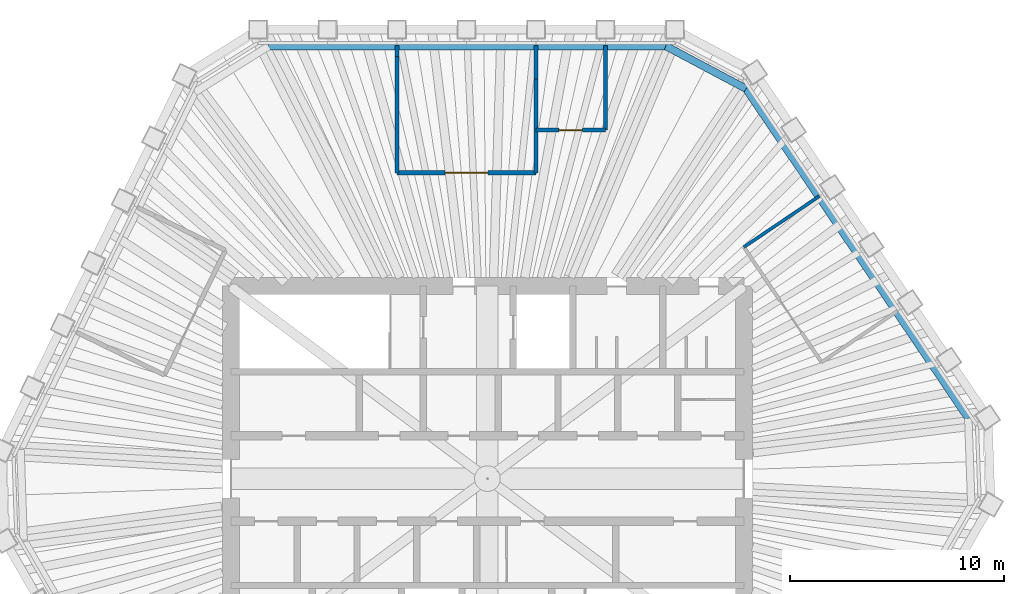
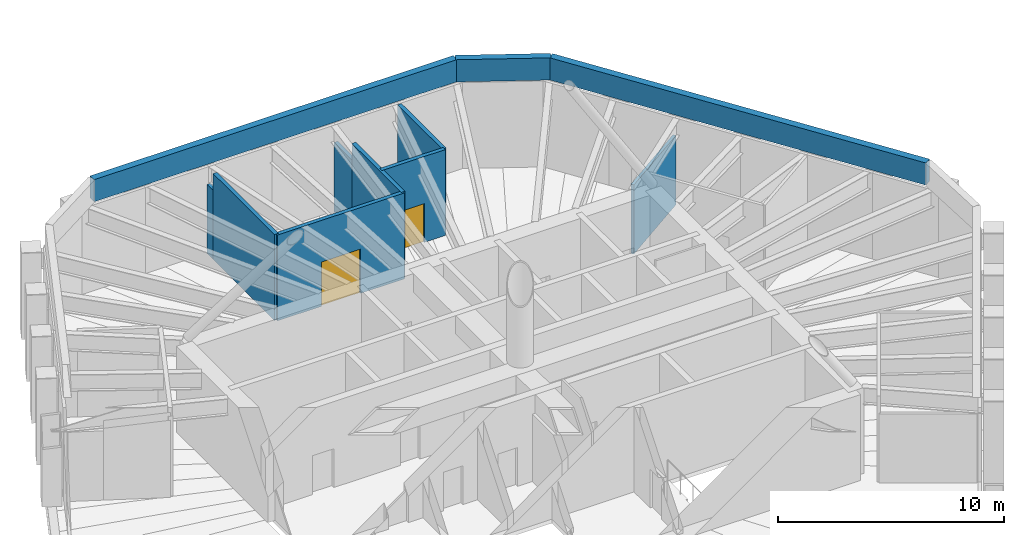
# One storey, part 7 of 9: 11 walls, 2 doors, 2 openings.
"""IFC4 building model written with IfcOpenShell, lengths in metres."""

from ifc_helpers import new_model, si_unit, direction, frame, frame_2d, origin, place, context, subcontext, project, spatial, rectangle, extrude, material, layer, layer_set, type_object, element, fill, save


model = new_model("IFC4")

# Units and contexts
model_context = context("Model", 3, precision=1e-05, world=origin(), true_north=direction((0.0, 1.0)))
body_context = subcontext(model_context, "Body", "Model", "MODEL_VIEW")
ifc_project = project(units=[si_unit("LENGTHUNIT", "METRE"), si_unit("AREAUNIT", "SQUARE_METRE"), si_unit("VOLUMEUNIT", "CUBIC_METRE"), si_unit("PLANEANGLEUNIT", "RADIAN"), si_unit("MASSUNIT", "GRAM", prefix="KILO")], contexts=[model_context])

# Site, building, storey
site_placement = place(None, origin())
site = spatial("IfcSite", under=ifc_project, at=site_placement, CompositionType="ELEMENT")
building_placement = place(site_placement, origin())
building = spatial("IfcBuilding", under=site, at=building_placement, Name="Qingtian Harvest Tower", CompositionType="ELEMENT")
storey_placement = place(building_placement, frame((0.0, 0.0, 343.60009765625)))
storey = spatial("IfcBuildingStorey", under=building, at=storey_placement, Name="L76", CompositionType="ELEMENT", Elevation=343.60009765625)

# Walls
ifc_material_1 = material(Name="Blockwork fire wall", Category="masonry")
ifc_layer_1 = layer(ifc_material_1, 0.199951171875)
ifc_layer_set_1 = layer_set([ifc_layer_1], Name="Fire partition FW1 200")
wall_type_1 = type_object("IfcWallType", Name="Fire partition FW1 200", PredefinedType="PARTITIONING", material=ifc_layer_set_1)
wall_1_placement = place(storey_placement, frame((-4.226318359375, 20.260009765625, 0.0), z_axis=(0.0, 0.0, 1.0), x_axis=(0.0, -1.0, 0.0)))
element("IfcWall", 1, at=wall_1_placement, inside=storey, type_object=wall_type_1, Name="Lift machine room wall L76", PredefinedType="PARTITIONING", context=body_context, shape_type="SweptSolid", body=[
    extrude(rectangle(XDim=0.51708984375, YDim=0.199951171875, at=frame_2d((0.258544921875, 0.0))), origin(), (0.0, 0.0, 1.0), 3.75),
])
wall_2_placement = place(storey_placement, frame((2.269775390625, 20.260009765625, 0.0), z_axis=(0.0, 0.0, 1.0), x_axis=(0.0, -1.0, 0.0)))
element("IfcWall", 2, at=wall_2_placement, inside=storey, type_object=wall_type_1, Name="Lift machine room wall L76", PredefinedType="PARTITIONING", context=body_context, shape_type="SweptSolid", body=[
    extrude(rectangle(XDim=1.5810546875, YDim=0.199951171875, at=frame_2d((0.79052734375, 0.0))), origin(), (0.0, 0.0, 1.0), 3.75),
])

# Wall, opening, door
wall_3_placement = place(storey_placement, frame((-4.226318359375, 14.300048828125, 0.0), z_axis=(0.0, 0.0, 1.0), x_axis=(1.0, 0.0, 0.0)))
wall_3 = element("IfcWall", 3, at=wall_3_placement, inside=storey, type_object=wall_type_1, Name="Lift machine room wall L76", PredefinedType="PARTITIONING", context=body_context, shape_type="SweptSolid", body=[
    extrude(rectangle(XDim=6.49609375, YDim=0.199951171875, at=frame_2d((3.248046875, 0.0))), origin(), (0.0, 0.0, 1.0), 4.64990234375),
])
opening_1_placement = place(wall_3_placement, frame((2.248046875, 0.0, 0.0)))
opening_1 = element("IfcOpeningElement", 4, at=opening_1_placement, cuts=wall_3, Name="Opening FD3", PredefinedType="OPENING", context=body_context, shape_type="SweptSolid", body=[
    extrude(rectangle(XDim=2.0, YDim=2.39990234375, at=frame_2d((1.0, 1.199951171875))), frame((0.0, 0.10986328125, 0.0), z_axis=(0.0, -1.0, 0.0), x_axis=(1.0, 0.0, 0.0)), (0.0, 0.0, 1.0), 0.219970703125),
])
ifc_material_2 = material(Name="Steel-faced door leaf", Category="steel")
door_type_1 = type_object("IfcDoorType", Name="Fire door FD3 double 2 HR", OperationType="DOUBLE_DOOR_DOUBLE_SWING", PredefinedType="DOOR", material=ifc_material_2)
door_1_placement = place(opening_1_placement, origin())
door_1 = element("IfcDoor", 5, at=door_1_placement, inside=storey, type_object=door_type_1, Name="Lift machine room door L76", OperationType="DOUBLE_DOOR_DOUBLE_SWING", OverallHeight=2.39990234375, OverallWidth=2.0, PredefinedType="DOOR", context=body_context, shape_type="SweptSolid", body=[
    extrude(rectangle(XDim=2.0, YDim=2.39990234375, at=frame_2d((1.0, 1.199951171875))), frame((0.0, 0.02490234375, 0.0), z_axis=(0.0, -1.0, 0.0), x_axis=(1.0, 0.0, 0.0)), (0.0, 0.0, 1.0), 0.050048828125),
])
fill(opening_1, door_1)

# Wall
wall_4_placement = place(storey_placement, frame((5.517822265625, 20.260009765625, 0.0), z_axis=(0.0, 0.0, 1.0), x_axis=(0.0, -1.0, 0.0)))
element("IfcWall", 6, at=wall_4_placement, inside=storey, type_object=wall_type_1, Name="Fan plant room wall L76", PredefinedType="PARTITIONING", context=body_context, shape_type="SweptSolid", body=[
    extrude(rectangle(XDim=3.9599609375, YDim=0.199951171875, at=frame_2d((1.97998046875, 0.0))), origin(), (0.0, 0.0, 1.0), 4.64990234375),
])

# Wall, opening, door
wall_5_placement = place(storey_placement, frame((2.269775390625, 16.300048828125, 0.0), z_axis=(0.0, 0.0, 1.0), x_axis=(1.0, 0.0, 0.0)))
wall_5 = element("IfcWall", 7, at=wall_5_placement, inside=storey, type_object=wall_type_1, Name="Fan plant room wall L76", PredefinedType="PARTITIONING", context=body_context, shape_type="SweptSolid", body=[
    extrude(rectangle(XDim=3.248046875, YDim=0.199951171875, at=frame_2d((1.6240234375, 0.0))), origin(), (0.0, 0.0, 1.0), 4.64990234375),
])
opening_2_placement = place(wall_5_placement, frame((1.073974609375, 0.0, 0.0)))
opening_2 = element("IfcOpeningElement", 8, at=opening_2_placement, cuts=wall_5, Name="Opening FD4", PredefinedType="OPENING", context=body_context, shape_type="SweptSolid", body=[
    extrude(rectangle(XDim=1.10009765625, YDim=2.10009765625, at=frame_2d((0.550048828125, 1.050048828125))), frame((0.0, 0.10986328125, 0.0), z_axis=(0.0, -1.0, 0.0), x_axis=(1.0, 0.0, 0.0)), (0.0, 0.0, 1.0), 0.219970703125),
])
ifc_material_3 = material(Name="Steel-faced door leaf", Category="steel")
door_type_2 = type_object("IfcDoorType", Name="Fire door FD4 single 2 HR", OperationType="SINGLE_SWING_LEFT", PredefinedType="DOOR", material=ifc_material_3)
door_2_placement = place(opening_2_placement, origin())
door_2 = element("IfcDoor", 9, at=door_2_placement, inside=storey, type_object=door_type_2, Name="Fan plant room door L76", OperationType="SINGLE_SWING_RIGHT", OverallHeight=2.10009765625, OverallWidth=1.10009765625, PredefinedType="DOOR", context=body_context, shape_type="SweptSolid", body=[
    extrude(rectangle(XDim=1.10009765625, YDim=2.10009765625, at=frame_2d((0.550048828125, 1.050048828125))), frame((0.0, 0.02490234375, 0.0), z_axis=(0.0, -1.0, 0.0), x_axis=(1.0, 0.0, 0.0)), (0.0, 0.0, 1.0), 0.050048828125),
])
fill(opening_2, door_2)

# Walls
wall_6_placement = place(storey_placement, frame((-4.226318359375, 19.742919921875, 0.0), z_axis=(0.0, 0.0, 1.0), x_axis=(0.0, -1.0, 0.0)))
element("IfcWall", 10, at=wall_6_placement, inside=storey, type_object=wall_type_1, Name="Lift machine room wall L76", PredefinedType="PARTITIONING", context=body_context, shape_type="SweptSolid", body=[
    extrude(rectangle(XDim=5.44287109375, YDim=0.199951171875, at=frame_2d((2.721435546875, 0.0))), origin(), (0.0, 0.0, 1.0), 4.64990234375),
])
wall_7_placement = place(storey_placement, frame((2.269775390625, 18.678955078125, 0.0), z_axis=(0.0, 0.0, 1.0), x_axis=(0.0, -1.0, 0.0)))
element("IfcWall", 11, at=wall_7_placement, inside=storey, type_object=wall_type_1, Name="Lift machine room wall L76", PredefinedType="PARTITIONING", context=body_context, shape_type="SweptSolid", body=[
    extrude(rectangle(XDim=4.37890625, YDim=0.199951171875, at=frame_2d((2.189453125, 0.0))), origin(), (0.0, 0.0, 1.0), 4.64990234375),
])
ifc_material_4 = material(Name="Gypsum board on steel studs", Category="steel")
ifc_layer_2 = layer(ifc_material_4, 0.14990234375)
ifc_layer_set_2 = layer_set([ifc_layer_2], Name="Partition PT1 150")
wall_type_2 = type_object("IfcWallType", Name="Partition PT1 150", PredefinedType="PARTITIONING", material=ifc_layer_set_2)
wall_8_placement = place(storey_placement, frame((15.527099609375, 13.2109375, 0.0), z_axis=(0.0, 0.0, 1.0), x_axis=(-0.82904926797, -0.559175563914, 0.0)))
element("IfcWall", 12, at=wall_8_placement, inside=storey, type_object=wall_type_2, Name="Switch room wall L76", PredefinedType="PARTITIONING", context=body_context, shape_type="SweptSolid", body=[
    extrude(rectangle(XDim=4.260009765625, YDim=0.14990234375, at=frame_2d((2.1298828125, 0.0))), origin(), (0.0, 0.0, 1.0), 3.75),
])
ifc_material_5 = material(Name="Concrete fc' 35 MPa", Category="concrete")
ifc_layer_3 = layer(ifc_material_5, 0.35009765625)
ifc_layer_set_3 = layer_set([ifc_layer_3], Name="Roof parapet PW1 350")
wall_type_3 = type_object("IfcWallType", Name="Roof parapet PW1 350", PredefinedType="PARAPET", material=ifc_layer_set_3)
wall_9_placement = place(storey_placement, frame((-10.238037109375, 20.22509765625, 5.0), z_axis=(0.0, 0.0, 1.0), x_axis=(1.0, 0.0, 0.0)))
element("IfcWall", 13, at=wall_9_placement, inside=storey, type_object=wall_type_3, Name="Roof parapet 1", PredefinedType="PARAPET", context=body_context, shape_type="SweptSolid", body=[
    extrude(rectangle(XDim=18.591796875, YDim=0.35009765625, at=frame_2d((9.2958984375, 0.0))), origin(), (0.0, 0.0, 1.0), 1.199951171875),
])
wall_10_placement = place(storey_placement, frame((8.353759765625, 20.22509765625, 5.0), z_axis=(0.0, 0.0, 1.0), x_axis=(0.882948599748, -0.469469669099, 0.0)))
element("IfcWall", 14, at=wall_10_placement, inside=storey, type_object=wall_type_3, Name="Roof parapet 2", PredefinedType="PARAPET", context=body_context, shape_type="SweptSolid", body=[
    extrude(rectangle(XDim=4.23828125, YDim=0.35009765625, at=frame_2d((2.119140625, 0.0))), origin(), (0.0, 0.0, 1.0), 1.199951171875),
])
wall_11_placement = place(storey_placement, frame((12.095947265625, 18.2353515625, 5.0), z_axis=(0.0, 0.0, 1.0), x_axis=(0.559186168722, -0.829042115161, 0.0)))
element("IfcWall", 15, at=wall_11_placement, inside=storey, type_object=wall_type_3, Name="Roof parapet 3", PredefinedType="PARAPET", context=body_context, shape_type="SweptSolid", body=[
    extrude(rectangle(XDim=18.591796875, YDim=0.35009765625, at=frame_2d((9.2958984375, 0.0))), origin(), (0.0, 0.0, 1.0), 1.199951171875),
])

save(model, "model.ifc")
